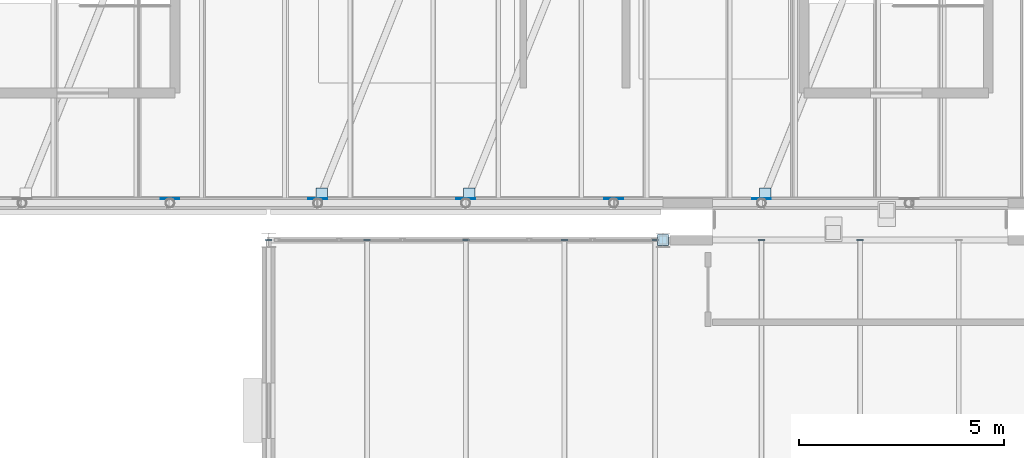
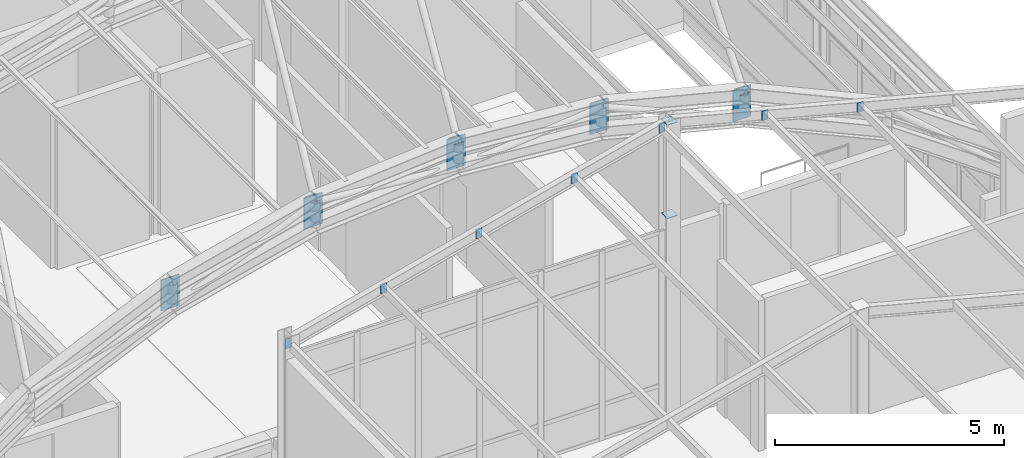
# One storey, part 107 of 121: 17 plates.
"""IFC4 building model written with IfcOpenShell, lengths in metres."""

from ifc_helpers import new_model, si_unit, direction, frame, origin, origin_2d, place, context, subcontext, project, spatial, rectangle, extrude, material, layer, layer_set, type_object, element, save


model = new_model("IFC4")

# Units and contexts
model_context = context("Model", 3, precision=1e-05, world=origin(), true_north=direction((0.0, 1.0)))
body_context = subcontext(model_context, "Body", "Model", "MODEL_VIEW")
ifc_project = project(units=[si_unit("LENGTHUNIT", "METRE"), si_unit("AREAUNIT", "SQUARE_METRE"), si_unit("VOLUMEUNIT", "CUBIC_METRE"), si_unit("PLANEANGLEUNIT", "RADIAN"), si_unit("MASSUNIT", "GRAM", prefix="KILO")], contexts=[model_context])

# Site, building, storey
site_placement = place(None, origin())
site = spatial("IfcSite", under=ifc_project, at=site_placement, CompositionType="ELEMENT")
building_placement = place(site_placement, origin())
building = spatial("IfcBuilding", under=site, at=building_placement, Name="Canglan Escarpment Cableway Terminal", CompositionType="ELEMENT")
storey_placement = place(building_placement, frame((0.0, 0.0, 24.60009765625)))
storey = spatial("IfcBuildingStorey", under=building, at=storey_placement, Name="L05", CompositionType="ELEMENT", Elevation=24.60009765625)

# Plates
ifc_material = material(Name="Steel Q355B", Category="steel")
ifc_layer_1 = layer(ifc_material, 0.01611328125, Name="Steel Q355B")
ifc_layer_set_1 = layer_set([ifc_layer_1], Name="Steel Q355B")
plate_type_1 = type_object("IfcPlateType", Name="PLT-CAP-16", PredefinedType="SHEET", material=ifc_layer_set_1)
for number, where, z_axis, x_axis, name in (
    (1, (147.199951171875, 33.10400390625, 5.19970703125), (0.0, 0.0, 1.0), (1.0, 0.0, 0.0), "Welded hollow purlin end cap plate CP-01"),
    (2, (149.60009765625, 33.10400390625, 5.82470703125), (0.0, 0.0, 1.0), (1.0, 0.0, 0.0), "Welded hollow purlin end cap plate CP-01"),
    (3, (152.0, 33.10400390625, 6.44970703125), (0.0, 0.0, 1.0), (1.0, 0.0, 0.0), "Welded hollow purlin end cap plate CP-01"),
    (4, (154.39990234375, 33.10400390625, 7.07470703125), (0.0, 0.0, 1.0), (1.0, 0.0, 0.0), "Welded hollow purlin end cap plate CP-01"),
    (5, (156.60791015625, 33.10400390625, 7.64990234375), (0.0, 0.0, 1.0), (1.0, 0.0, 0.0), "Welded hollow purlin end cap plate CP-01"),
    (6, (159.199951171875, 33.10400390625, 7.07470703125), (0.0, 0.0, 1.0), (1.0, 0.0, 0.0), "Welded hollow purlin end cap plate CP-01"),
    (7, (161.60009765625, 33.10400390625, 6.44970703125), (0.0, 0.0, 1.0), (1.0, 0.0, 0.0), "Welded hollow purlin end cap plate CP-01"),
):
    element("IfcPlate", number, at=place(storey_placement, frame(where, z_axis=z_axis, x_axis=x_axis)), inside=storey, type_object=plate_type_1, Name=name, PredefinedType="SHEET", context=body_context, shape_type="SweptSolid", body=[
        extrude(rectangle(XDim=0.159912109375, YDim=0.01611328125, at=origin_2d()), origin(), (0.0, 0.0, 1.0), 0.260009765625),
    ])
ifc_layer_2 = layer(ifc_material, 0.01611328125, Name="Steel Q355B")
ifc_layer_set_2 = layer_set([ifc_layer_2], Name="Steel Q355B")
plate_type_2 = type_object("IfcPlateType", Name="PLT-GUSSET-16", PredefinedType="USERDEFINED", material=ifc_layer_set_2)
for number, where, z_axis, x_axis, name in (
    (8, (148.489013671875, 34.222900390625, 8.055419921875), (0.0, 0.0, 1.0), (1.0, 0.0, 0.0), "Roof wind brace end gusset plate GP-03"),
    (9, (152.089111328125, 34.222900390625, 8.351806640625), (0.0, 0.0, 1.0), (1.0, 0.0, 0.0), "Roof wind brace end gusset plate GP-03"),
    (10, (159.2890625, 34.222900390625, 7.140380859375), (0.0, 0.0, 1.0), (1.0, 0.0, 0.0), "Roof wind brace end gusset plate GP-03"),
):
    element("IfcPlate", number, at=place(storey_placement, frame(where, z_axis=z_axis, x_axis=x_axis)), inside=storey, type_object=plate_type_2, Name=name, ObjectType="GUSSET PLATE", PredefinedType="USERDEFINED", context=body_context, shape_type="SweptSolid", body=[
        extrude(rectangle(XDim=0.280029296875, YDim=0.280029296875, at=origin_2d()), origin(), (0.0, 0.0, 1.0), 0.01611328125),
    ])
for number, where, z_axis, x_axis, name in (
    (11, (156.800048828125, 33.10009765625, 5.39990234375), (0.0, 0.0, 1.0), (1.0, 0.0, 0.0), "Ridge post end connection plate GP-03"),
    (12, (156.800048828125, 33.10009765625, 7.8837890625), (0.0, 0.0, 1.0), (1.0, 0.0, 0.0), "Ridge post end connection plate GP-03"),
):
    element("IfcPlate", number, at=place(storey_placement, frame(where, z_axis=z_axis, x_axis=x_axis)), inside=storey, type_object=plate_type_2, Name=name, ObjectType="GUSSET PLATE", PredefinedType="USERDEFINED", context=body_context, shape_type="SweptSolid", body=[
        extrude(rectangle(XDim=0.260009765625, YDim=0.260009765625, at=origin_2d()), origin(), (0.0, 0.0, 1.0), 0.01611328125),
    ])
ifc_layer_3 = layer(ifc_material, 0.02392578125, Name="Steel Q355B")
ifc_layer_set_3 = layer_set([ifc_layer_3], Name="Steel Q355B")
plate_type_3 = type_object("IfcPlateType", Name="PLT-GUSSET-24", PredefinedType="USERDEFINED", material=ifc_layer_set_3)
for number, where, z_axis, x_axis, name in (
    (13, (144.800048828125, 34.10498046875, 6.498291015625), (0.0, 0.0, 1.0), (1.0, 0.0, 0.0), "Arch-truss node gusset plate GP-01"),
    (14, (148.39990234375, 34.10498046875, 7.413330078125), (0.0, 0.0, 1.0), (1.0, 0.0, 0.0), "Arch-truss node gusset plate GP-01"),
    (15, (152.0, 34.10498046875, 7.7099609375), (0.0, 0.0, 1.0), (1.0, 0.0, 0.0), "Arch-truss node gusset plate GP-01"),
    (16, (155.60009765625, 34.10498046875, 7.413330078125), (0.0, 0.0, 1.0), (1.0, 0.0, 0.0), "Arch-truss node gusset plate GP-01"),
    (17, (159.199951171875, 34.10498046875, 6.498291015625), (0.0, 0.0, 1.0), (1.0, 0.0, 0.0), "Arch-truss node gusset plate GP-01"),
):
    element("IfcPlate", number, at=place(storey_placement, frame(where, z_axis=z_axis, x_axis=x_axis)), inside=storey, type_object=plate_type_3, Name=name, ObjectType="GUSSET PLATE", PredefinedType="USERDEFINED", context=body_context, shape_type="SweptSolid", body=[
        extrude(rectangle(XDim=0.4599609375, YDim=0.02392578125, at=origin_2d()), origin(), (0.0, 0.0, 1.0), 0.830078125),
    ])

save(model, "model.ifc")
